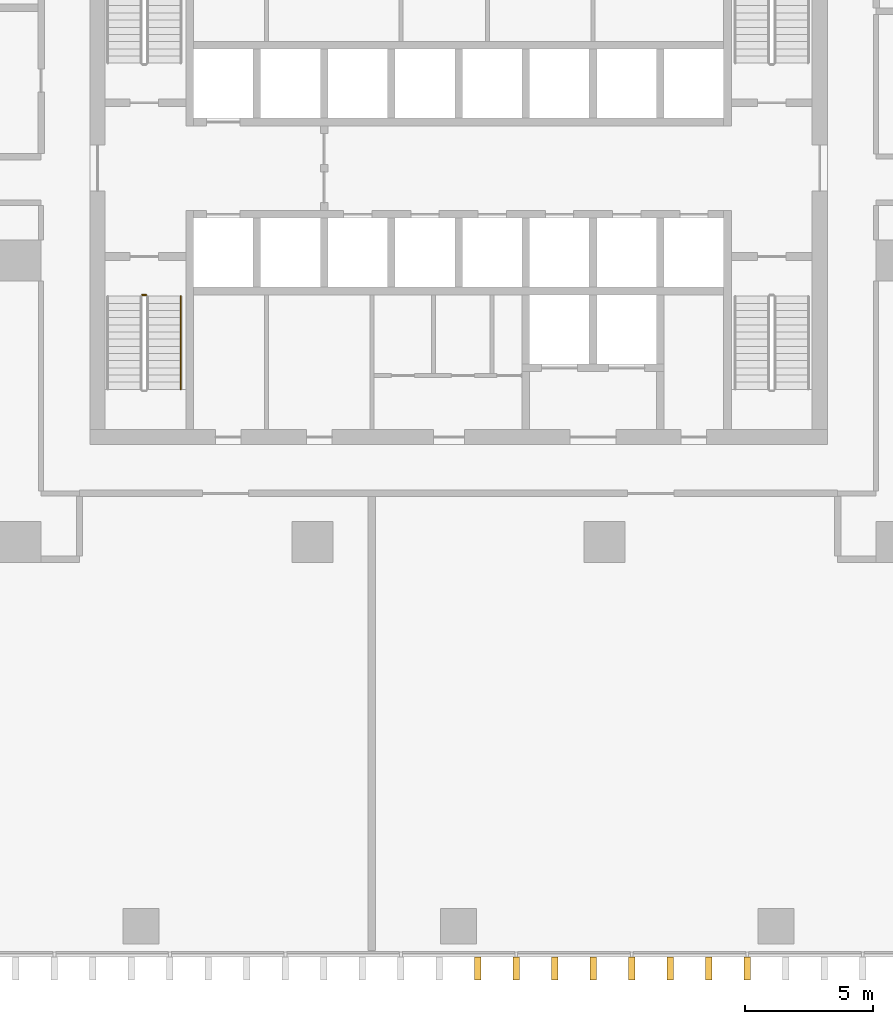
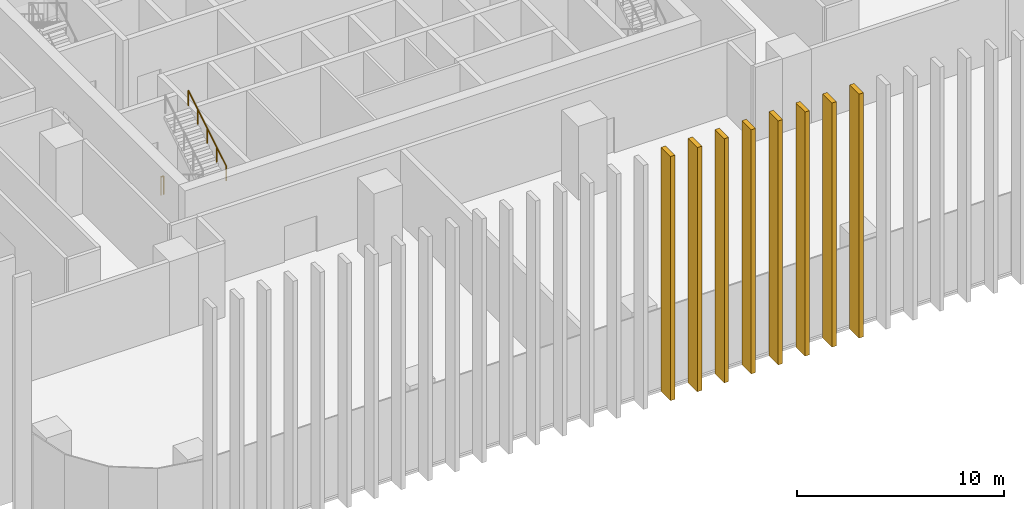
# One storey, part 13 of 17: 8 shading devices, 2 railings.
"""IFC4 building model written with IfcOpenShell, lengths in metres."""

from ifc_helpers import new_model, si_unit, direction, frame, origin, origin_2d, place, context, subcontext, project, spatial, rectangle, circle, extrude, material, type_object, element, save


model = new_model("IFC4")

# Units and contexts
model_context = context("Model", 3, precision=1e-05, world=origin(), true_north=direction((0.0, 1.0)))
body_context = subcontext(model_context, "Body", "Model", "MODEL_VIEW")
ifc_project = project(units=[si_unit("LENGTHUNIT", "METRE"), si_unit("AREAUNIT", "SQUARE_METRE"), si_unit("VOLUMEUNIT", "CUBIC_METRE"), si_unit("PLANEANGLEUNIT", "RADIAN"), si_unit("MASSUNIT", "GRAM", prefix="KILO")], contexts=[model_context])

# Site, building, storey
site_placement = place(None, origin())
site = spatial("IfcSite", under=ifc_project, at=site_placement, CompositionType="ELEMENT")
building_placement = place(site_placement, origin())
building = spatial("IfcBuilding", under=site, at=building_placement, Name="Mopane Tessera Tower", CompositionType="ELEMENT")
storey_placement = place(building_placement, frame((0.0, 0.0, 45.39990234375)))
storey = spatial("IfcBuildingStorey", under=building, at=storey_placement, Name="L08", CompositionType="ELEMENT", Elevation=45.39990234375)

# Shading devices
ifc_material_1 = material(Name="Glazed ceramic tile")
shading_device_type = type_object("IfcShadingDeviceType", Name="Ceramic tile fin 900 x 250 mm", PredefinedType="USERDEFINED", material=ifc_material_1)
for number, where, z_axis, x_axis, name in (
    (1, (0.75146484375, -27.64990234375, -0.449951171875), (0.0, 0.0, 1.0), (1.0, 0.0, 0.0), "e:fin:L08:S:5:2"),
    (2, (2.254638671875, -27.64990234375, -0.449951171875), (0.0, 0.0, 1.0), (1.0, 0.0, 0.0), "e:fin:L08:S:6:0"),
    (3, (3.757568359375, -27.64990234375, -0.449951171875), (0.0, 0.0, 1.0), (1.0, 0.0, 0.0), "e:fin:L08:S:6:1"),
    (4, (5.260498046875, -27.64990234375, -0.449951171875), (0.0, 0.0, 1.0), (1.0, 0.0, 0.0), "e:fin:L08:S:6:2"),
    (5, (6.763671875, -27.64990234375, -0.449951171875), (0.0, 0.0, 1.0), (1.0, 0.0, 0.0), "e:fin:L08:S:7:0"),
    (6, (8.2666015625, -27.64990234375, -0.449951171875), (0.0, 0.0, 1.0), (1.0, 0.0, 0.0), "e:fin:L08:S:7:1"),
    (7, (9.769775390625, -27.64990234375, -0.449951171875), (0.0, 0.0, 1.0), (1.0, 0.0, 0.0), "e:fin:L08:S:7:2"),
    (8, (11.272705078125, -27.64990234375, -0.449951171875), (0.0, 0.0, 1.0), (1.0, 0.0, 0.0), "e:fin:L08:S:8:0"),
):
    element("IfcShadingDevice", number, at=place(storey_placement, frame(where, z_axis=z_axis, x_axis=x_axis)), inside=storey, type_object=shading_device_type, Name=name, ObjectType="FIN", PredefinedType="USERDEFINED", context=body_context, shape_type="SweptSolid", body=[
        extrude(rectangle(XDim=0.25, YDim=0.89990234375, at=origin_2d()), origin(), (0.0, 0.0, 1.0), 14.39990234375),
    ])

# Railings
ifc_material_2 = material(Name="Powder-coated steel balustrade", Category="steel")
railing_type_1 = type_object("IfcRailingType", Name="Escape stair guard 1100 mm", PredefinedType="GUARDRAIL", material=ifc_material_2)
railing_1_placement = place(storey_placement, frame((-12.35009765625, -1.35009765625, 0.0)))
element("IfcRailing", 9, at=railing_1_placement, inside=storey, type_object=railing_type_1, Name="L08 ST1 stair guard 3", PredefinedType="GUARDRAIL", context=body_context, shape_type="SweptSolid", body=[
    extrude(circle(Radius=0.02392578125, at=origin_2d()), frame((0.0, 0.0, 1.076171875), z_axis=(1.0, 0.0, 0.0), x_axis=(0.0, 1.0, 0.0)), (0.0, 0.0, 1.0), 0.150146484375),
    extrude(circle(Radius=0.02099609375, at=origin_2d()), origin(), (0.0, 0.0, 1.0), 1.052001953125),
    extrude(circle(Radius=0.02099609375, at=origin_2d()), frame((0.150146484375, 0.0, 0.0)), (0.0, 0.0, 1.0), 1.052001953125),
])
ifc_material_3 = material(Name="Powder-coated steel balustrade", Category="steel")
railing_type_2 = type_object("IfcRailingType", Name="Escape stair handrail 900 mm", PredefinedType="HANDRAIL", material=ifc_material_3)
railing_2_placement = place(storey_placement, frame((-10.85009765625, -5.0400390625, 2.571533203125)))
element("IfcRailing", 10, at=railing_2_placement, inside=storey, type_object=railing_type_2, Name="L08 ST1 stair handrail 2", PredefinedType="HANDRAIL", context=body_context, shape_type="SweptSolid", body=[
    extrude(circle(Radius=0.02392578125, at=origin_2d()), frame((0.0, 0.0, 0.8759765625), z_axis=(0.0, 0.852865859571, 0.52213008492), x_axis=(-1.0, 0.0, 0.0)), (0.0, 0.0, 1.0), 4.26806640625),
    extrude(circle(Radius=0.02099609375, at=origin_2d()), origin(), (0.0, 0.0, 1.0), 0.851806640625),
    extrude(circle(Radius=0.02099609375, at=origin_2d()), frame((0.0, 0.91015625, 0.55712890625)), (0.0, 0.0, 1.0), 0.851806640625),
    extrude(circle(Radius=0.02099609375, at=origin_2d()), frame((0.0, 1.820068359375, 1.1142578125)), (0.0, 0.0, 1.0), 0.851806640625),
    extrude(circle(Radius=0.02099609375, at=origin_2d()), frame((0.0, 2.72998046875, 1.67138671875)), (0.0, 0.0, 1.0), 0.851806640625),
    extrude(circle(Radius=0.02099609375, at=origin_2d()), frame((0.0, 3.64013671875, 2.228515625)), (0.0, 0.0, 1.0), 0.851806640625),
])

save(model, "model.ifc")
